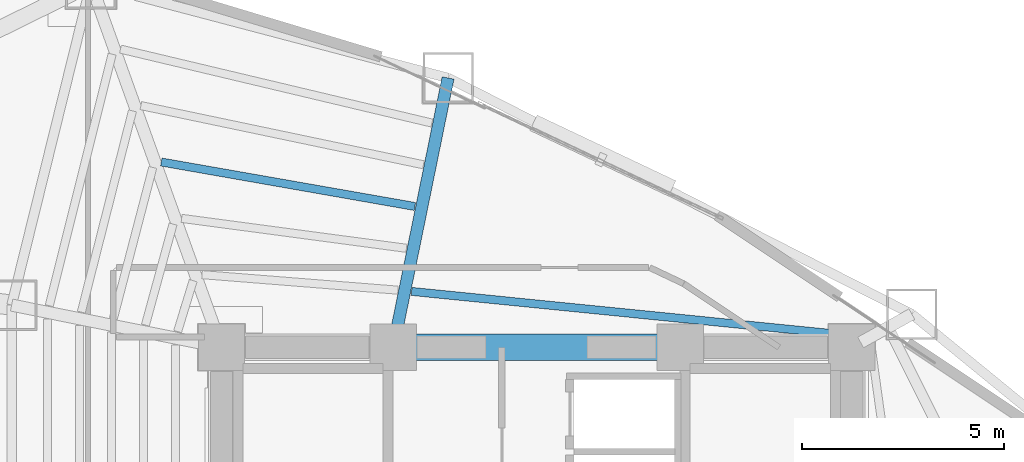
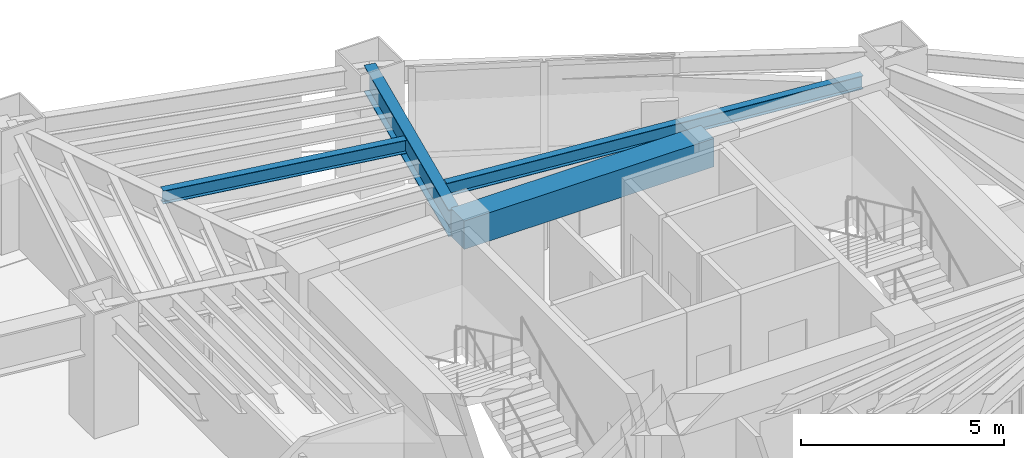
# One storey, part 13 of 23: 4 beams.
"""IFC4 building model written with IfcOpenShell, lengths in metres."""

from ifc_helpers import new_model, si_unit, direction, frame, origin, origin_2d, place, context, subcontext, project, spatial, rectangle, i_section, extrude, material, material_profile, profile_set, type_object, element, save


model = new_model("IFC4")

# Units and contexts
model_context = context("Model", 3, precision=1e-05, world=origin(), true_north=direction((0.0, 1.0)))
body_context = subcontext(model_context, "Body", "Model", "MODEL_VIEW")
ifc_project = project(units=[si_unit("LENGTHUNIT", "METRE"), si_unit("AREAUNIT", "SQUARE_METRE"), si_unit("VOLUMEUNIT", "CUBIC_METRE"), si_unit("PLANEANGLEUNIT", "RADIAN"), si_unit("MASSUNIT", "GRAM", prefix="KILO")], contexts=[model_context])

# Site, building, storey
site_placement = place(None, origin())
site = spatial("IfcSite", under=ifc_project, at=site_placement, CompositionType="ELEMENT")
building_placement = place(site_placement, origin())
building = spatial("IfcBuilding", under=site, at=building_placement, Name="Menara Vayukalpa", CompositionType="ELEMENT")
storey_placement = place(building_placement, frame((0.0, 0.0, 111.419921875)))
storey = spatial("IfcBuildingStorey", under=building, at=storey_placement, Name="L27", CompositionType="ELEMENT", Elevation=111.419921875)

# Beams
ifc_material_1 = material(Name="Concrete C60/75", Category="concrete")
ifc_material_profile_1 = material_profile(ifc_material_1, rectangle(XDim=0.64990234375, YDim=0.85009765625, at=origin_2d()), Name="RC 650x850")
ifc_profile_set_1 = profile_set([ifc_material_profile_1], Name="Concrete C60/75")
beam_type_1 = type_object("IfcBeamType", Name="BM-CB1", PredefinedType="BEAM", material=ifc_profile_set_1)
beam_1_placement = place(storey_placement, frame((22.050048828125, 26.800048828125, 3.045166015625), z_axis=(1.0, 0.0, 0.0), x_axis=(0.0, 1.0, 0.0)))
element("IfcBeam", 1, at=beam_1_placement, inside=storey, type_object=beam_type_1, Name="L27 Core Tie Beam CBR5", PredefinedType="BEAM", context=body_context, shape_type="SweptSolid", body=[
    extrude(rectangle(XDim=0.64990234375, YDim=0.85009765625, at=origin_2d()), origin(), (0.0, 0.0, 1.0), 7.099853515625),
])
ifc_material_2 = material(Name="Steel S355", Category="steel")
ifc_material_profile_2 = material_profile(ifc_material_2, i_section(OverallWidth=0.300048828125, OverallDepth=0.800048828125, WebThickness=0.013916015625, FlangeThickness=0.02587890625, at=origin_2d()), Name="WF 800x300x14x26")
ifc_profile_set_2 = profile_set([ifc_material_profile_2], Name="Steel S355")
beam_type_2 = type_object("IfcBeamType", Name="BM-PG3", PredefinedType="BEAM", material=ifc_profile_set_2)
beam_2_placement = place(storey_placement, frame((22.099853515625, 27.044921875, 3.070068359375), z_axis=(0.199617728418, 0.9798738503, 0.0), x_axis=(-0.9798738503, 0.199617728418, 0.0)))
element("IfcBeam", 2, at=beam_2_placement, inside=storey, type_object=beam_type_2, Name="L27 Primary Radial Girder RG03", PredefinedType="BEAM", context=body_context, shape_type="SweptSolid", body=[
    extrude(i_section(OverallWidth=0.300048828125, OverallDepth=0.800048828125, WebThickness=0.013916015625, FlangeThickness=0.02587890625, at=origin_2d()), origin(), (0.0, 0.0, 1.0), 6.55419921875),
])
ifc_material_3 = material(Name="Steel S355", Category="steel")
ifc_material_profile_3 = material_profile(ifc_material_3, i_section(OverallWidth=0.199951171875, OverallDepth=0.39990234375, WebThickness=0.008056640625, FlangeThickness=0.012939453125, at=origin_2d()), Name="WF 400x200x8x13")
ifc_profile_set_3 = profile_set([ifc_material_profile_3], Name="Steel S355")
beam_type_3 = type_object("IfcBeamType", Name="BM-SJ2", PredefinedType="JOIST", material=ifc_profile_set_3)
beam_3_placement = place(storey_placement, frame((33.677978515625, 27.06396484375, 3.27001953125), z_axis=(-0.995012836574, 0.099746955103, 0.0), x_axis=(-0.099746955103, -0.995012836574, 0.0)))
element("IfcBeam", 3, at=beam_3_placement, inside=storey, type_object=beam_type_3, Name="L27 Secondary Floor Joist SJ02-1", PredefinedType="JOIST", context=body_context, shape_type="SweptSolid", body=[
    extrude(i_section(OverallWidth=0.199951171875, OverallDepth=0.39990234375, WebThickness=0.008056640625, FlangeThickness=0.012939453125, at=origin_2d()), origin(), (0.0, 0.0, 1.0), 11.2294921875),
])
beam_4_placement = place(storey_placement, frame((22.586669921875, 30.28564453125, 3.27001953125), z_axis=(-0.984953935883, 0.172817083033, 0.0), x_axis=(-0.172817083033, -0.984953935883, 0.0)))
element("IfcBeam", 4, at=beam_4_placement, inside=storey, type_object=beam_type_3, Name="L27 Secondary Floor Joist SJ03-3", PredefinedType="JOIST", context=body_context, shape_type="SweptSolid", body=[
    extrude(i_section(OverallWidth=0.199951171875, OverallDepth=0.39990234375, WebThickness=0.008056640625, FlangeThickness=0.012939453125, at=origin_2d()), origin(), (0.0, 0.0, 1.0), 6.372802734375),
])

save(model, "model.ifc")
